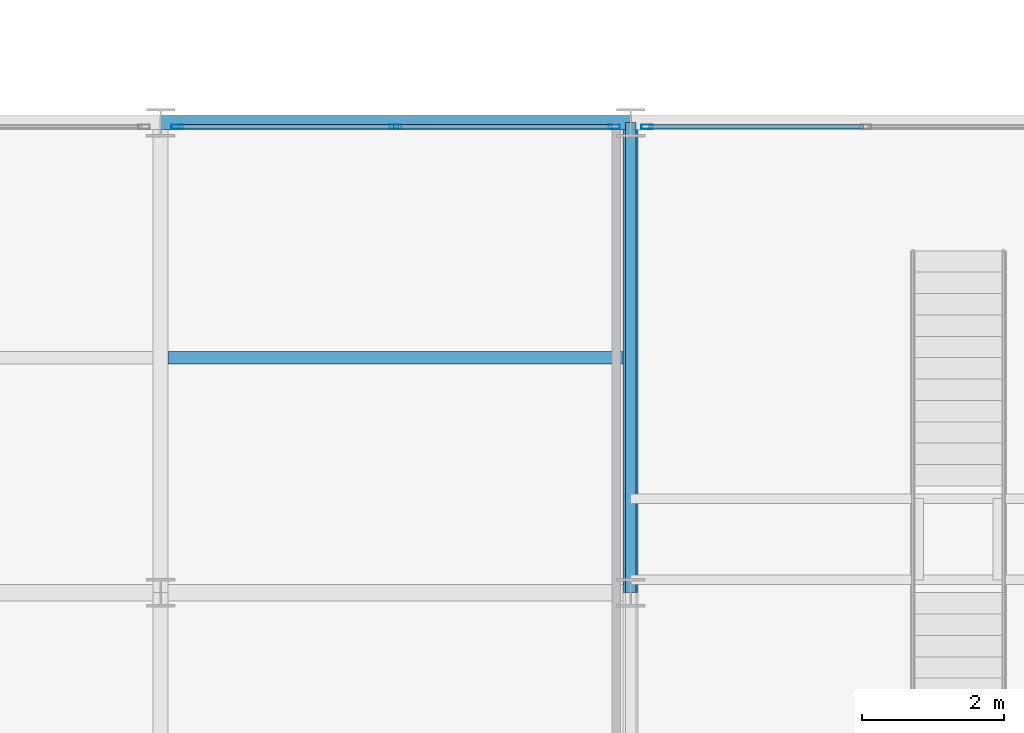
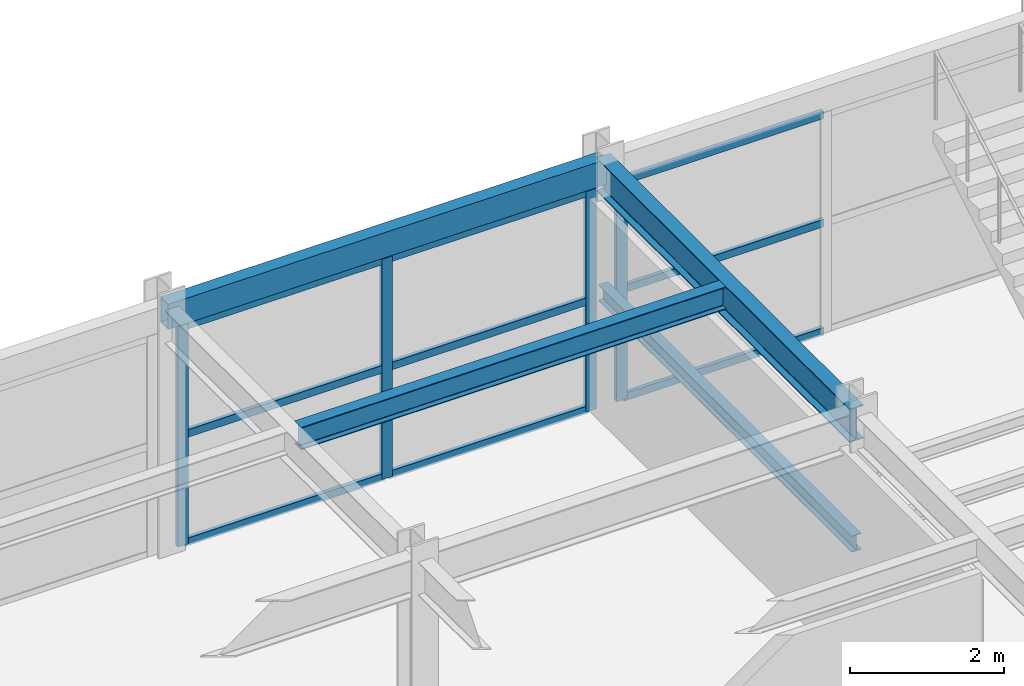
# One storey, part 105 of 157: 13 members, 4 beams, 2 elements without a shape of their own.
"""IFC4 building model written with IfcOpenShell, lengths in metres."""

from ifc_helpers import new_model, si_unit, direction, frame, origin, origin_2d, place, context, subcontext, project, spatial, hollow_rectangle, i_section, extrude, material, material_profile, profile_set, type_object, element, aggregate, save


model = new_model("IFC4")

# Units and contexts
model_context = context("Model", 3, precision=1e-05, world=origin(), true_north=direction((0.0, 1.0)))
body_context = subcontext(model_context, "Body", "Model", "MODEL_VIEW")
ifc_project = project(units=[si_unit("LENGTHUNIT", "METRE"), si_unit("AREAUNIT", "SQUARE_METRE"), si_unit("VOLUMEUNIT", "CUBIC_METRE"), si_unit("PLANEANGLEUNIT", "RADIAN"), si_unit("MASSUNIT", "GRAM", prefix="KILO")], contexts=[model_context])

# Site, building, storey
site_placement = place(None, origin())
site = spatial("IfcSite", under=ifc_project, at=site_placement, CompositionType="ELEMENT")
building_placement = place(site_placement, origin())
building = spatial("IfcBuilding", under=site, at=building_placement, Name="Karori Crest Natural Sciences Institute", CompositionType="ELEMENT")
storey_placement = place(building_placement, frame((0.0, 0.0, 13.300048828125)))
storey = spatial("IfcBuildingStorey", under=building, at=storey_placement, Name="L03", CompositionType="ELEMENT", Elevation=13.300048828125)

# Beams
ifc_material_1 = material(Name="Structural steel AS/NZS 3679.1 Grade 350", Category="steel")
ifc_material_profile_1 = material_profile(ifc_material_1, i_section(OverallWidth=0.208984375, OverallDepth=0.532958984375, WebThickness=0.01025390625, FlangeThickness=0.015625, FilletRadius=0.013916015625, at=origin_2d()), Name="530UB92.4")
ifc_profile_set_1 = profile_set([ifc_material_profile_1], Name="Structural steel AS/NZS 3679.1 Grade 350")
beam_type_1 = type_object("IfcBeamType", Name="BT-05", PredefinedType="BEAM", material=ifc_profile_set_1)
beam_1_placement = place(storey_placement, frame((143.199951171875, 14.0, 3.653564453125), z_axis=(0.0, 1.0, 0.0), x_axis=(-1.0, 0.0, 0.0)))
element("IfcBeam", 1, at=beam_1_placement, inside=storey, type_object=beam_type_1, Name="Beam B-2335", PredefinedType="BEAM", context=body_context, shape_type="SweptSolid", body=[
    extrude(i_section(OverallWidth=0.208984375, OverallDepth=0.532958984375, WebThickness=0.01025390625, FlangeThickness=0.015625, FilletRadius=0.013916015625, at=origin_2d()), origin(), (0.0, 0.0, 1.0), 6.60009765625),
])
ifc_material_profile_2 = material_profile(ifc_material_1, i_section(OverallWidth=0.172119140625, OverallDepth=0.35888671875, WebThickness=0.008056640625, FlangeThickness=0.012939453125, FilletRadius=0.010986328125, at=origin_2d()), Name="360UB56.7")
ifc_profile_set_2 = profile_set([ifc_material_profile_2], Name="Structural steel AS/NZS 3679.1 Grade 350")
beam_type_2 = type_object("IfcBeamType", Name="BT-08", PredefinedType="BEAM", material=ifc_profile_set_2)
beam_2_placement = place(storey_placement, frame((136.70458984375, 17.300048828125, 3.740478515625), z_axis=(1.0, 0.0, 0.0), x_axis=(0.0, 1.0, 0.0)))
element("IfcBeam", 2, at=beam_2_placement, inside=storey, type_object=beam_type_2, Name="Beam B-2358", PredefinedType="BEAM", context=body_context, shape_type="SweptSolid", body=[
    extrude(i_section(OverallWidth=0.172119140625, OverallDepth=0.35888671875, WebThickness=0.008056640625, FlangeThickness=0.012939453125, FilletRadius=0.010986328125, at=origin_2d()), origin(), (0.0, 0.0, 1.0), 6.390869140625),
])
ifc_material_profile_3 = material_profile(ifc_material_1, i_section(OverallWidth=0.14599609375, OverallDepth=0.256103515625, WebThickness=0.00634765625, FlangeThickness=0.010986328125, FilletRadius=0.009033203125, at=origin_2d()), Name="250UB37.3")
ifc_profile_set_3 = profile_set([ifc_material_profile_3], Name="Structural steel AS/NZS 3679.1 Grade 350")
beam_type_3 = type_object("IfcBeamType", Name="BT-11-IL", PredefinedType="BEAM", material=ifc_profile_set_3)
beam_3_placement = place(storey_placement, frame((143.199951171875, 14.0, 1.761962890625), z_axis=(0.0, 1.0, 0.0), x_axis=(-1.0, 0.0, 0.0)))
element("IfcBeam", 3, at=beam_3_placement, inside=storey, type_object=beam_type_3, Name="Stair stringer girder ST-15", PredefinedType="BEAM", context=body_context, shape_type="SweptSolid", body=[
    extrude(i_section(OverallWidth=0.14599609375, OverallDepth=0.256103515625, WebThickness=0.00634765625, FlangeThickness=0.010986328125, FilletRadius=0.009033203125, at=origin_2d()), origin(), (0.0, 0.0, 1.0), 6.60009765625),
])
ifc_material_2 = material(Name="Hollow structural steel AS/NZS 1163 Grade C350", Category="steel")
ifc_material_profile_4 = material_profile(ifc_material_2, hollow_rectangle(XDim=0.199951171875, YDim=0.39990234375, WallThickness=0.012451171875, at=origin_2d()), Name="RHS400x200x12.5")
ifc_profile_set_4 = profile_set([ifc_material_profile_4], Name="Hollow structural steel AS/NZS 1163 Grade C350")
beam_type_4 = type_object("IfcBeamType", Name="BT-14", PredefinedType="SPANDREL", material=ifc_profile_set_4)
beam_4_placement = place(storey_placement, frame((136.60009765625, 20.60009765625, 3.719970703125), z_axis=(1.0, 0.0, 0.0), x_axis=(0.0, 1.0, 0.0)))
element("IfcBeam", 4, at=beam_4_placement, inside=storey, type_object=beam_type_4, Name="Beam B-2311", PredefinedType="SPANDREL", context=body_context, shape_type="SweptSolid", body=[
    extrude(hollow_rectangle(XDim=0.199951171875, YDim=0.39990234375, WallThickness=0.012451171875, at=origin_2d()), origin(), (0.0, 0.0, 1.0), 6.599853515625),
])

# Curtain wall, members
ifc_material_3 = material(Name="Anodised architectural aluminium 6063-T6", Category="aluminium")
curtain_wall_type = type_object("IfcCurtainWallType", Name="CWT-20", PredefinedType="NOTDEFINED", material=ifc_material_3)
curtain_wall_1_placement = place(storey_placement, origin())
curtain_wall_1 = element("IfcCurtainWall", 5, at=curtain_wall_1_placement, inside=storey, type_object=curtain_wall_type, Name="Curtain wall CW-0327", PredefinedType="NOTDEFINED")
ifc_material_profile_5 = material_profile(ifc_material_3, hollow_rectangle(XDim=0.06494140625, YDim=0.159912109375, WallThickness=0.00390625, at=origin_2d()), Name="CWM160x65x4")
ifc_profile_set_5 = profile_set([ifc_material_profile_5], Name="Anodised architectural aluminium 6063-T6")
member_type_1 = type_object("IfcMemberType", Name="CWM-01", PredefinedType="MULLION", material=ifc_profile_set_5)
member_1_placement = place(storey_placement, frame((136.83056640625, 20.5400390625, 0.0), z_axis=(0.0, 0.0, 1.0), x_axis=(0.0, 1.0, 0.0)))
member_1 = element("IfcMember", 6, at=member_1_placement, type_object=member_type_1, Name="CW-0327 mullion 1", PredefinedType="MULLION", context=body_context, shape_type="SweptSolid", body=[
    extrude(hollow_rectangle(XDim=0.06494140625, YDim=0.159912109375, WallThickness=0.00390625, at=origin_2d()), origin(), (0.0, 0.0, 1.0), 3.5048828125),
])
member_2_placement = place(storey_placement, frame((139.89990234375, 20.5400390625, 0.0), z_axis=(0.0, 0.0, 1.0), x_axis=(0.0, 1.0, 0.0)))
member_2 = element("IfcMember", 7, at=member_2_placement, type_object=member_type_1, Name="CW-0327 mullion 2", PredefinedType="MULLION", context=body_context, shape_type="SweptSolid", body=[
    extrude(hollow_rectangle(XDim=0.06494140625, YDim=0.159912109375, WallThickness=0.00390625, at=origin_2d()), origin(), (0.0, 0.0, 1.0), 3.5048828125),
])
member_3_placement = place(storey_placement, frame((142.969482421875, 20.5400390625, 0.0), z_axis=(0.0, 0.0, 1.0), x_axis=(0.0, 1.0, 0.0)))
member_3 = element("IfcMember", 8, at=member_3_placement, type_object=member_type_1, Name="CW-0327 mullion 3", PredefinedType="MULLION", context=body_context, shape_type="SweptSolid", body=[
    extrude(hollow_rectangle(XDim=0.06494140625, YDim=0.159912109375, WallThickness=0.00390625, at=origin_2d()), origin(), (0.0, 0.0, 1.0), 3.5048828125),
])

# Curtain wall, member
curtain_wall_2_placement = place(storey_placement, origin())
curtain_wall_2 = element("IfcCurtainWall", 9, at=curtain_wall_2_placement, inside=storey, type_object=curtain_wall_type, Name="Curtain wall CW-0328", PredefinedType="NOTDEFINED")
member_4_placement = place(storey_placement, frame((143.430419921875, 20.5400390625, 0.0), z_axis=(0.0, 0.0, 1.0), x_axis=(0.0, 1.0, 0.0)))
member_4 = element("IfcMember", 10, at=member_4_placement, type_object=member_type_1, Name="CW-0328 mullion 1", PredefinedType="MULLION", context=body_context, shape_type="SweptSolid", body=[
    extrude(hollow_rectangle(XDim=0.06494140625, YDim=0.159912109375, WallThickness=0.00390625, at=origin_2d()), origin(), (0.0, 0.0, 1.0), 3.5048828125),
])

# Member
ifc_material_profile_6 = material_profile(ifc_material_3, hollow_rectangle(XDim=0.06005859375, YDim=0.1201171875, WallThickness=0.00390625, at=origin_2d()), Name="CWT120x60x4")
ifc_profile_set_6 = profile_set([ifc_material_profile_6], Name="Anodised architectural aluminium 6063-T6")
member_type_2 = type_object("IfcMemberType", Name="CWT-TR1", PredefinedType="USERDEFINED", material=ifc_profile_set_6)
member_5_placement = place(storey_placement, frame((136.863037109375, 20.5400390625, 0.030029296875), z_axis=(1.0, 0.0, 0.0), x_axis=(0.0, 1.0, 0.0)))
member_5 = element("IfcMember", 11, at=member_5_placement, type_object=member_type_2, Name="CW-0327 transom 1.1", ObjectType="TRANSOM", PredefinedType="USERDEFINED", context=body_context, shape_type="SweptSolid", body=[
    extrude(hollow_rectangle(XDim=0.06005859375, YDim=0.1201171875, WallThickness=0.00390625, at=origin_2d()), origin(), (0.0, 0.0, 1.0), 3.00439453125),
])

member_6_placement = place(storey_placement, frame((136.863037109375, 20.5400390625, 1.75244140625), z_axis=(1.0, 0.0, 0.0), x_axis=(0.0, 1.0, 0.0)))
member_6 = element("IfcMember", 12, at=member_6_placement, type_object=member_type_2, Name="CW-0327 transom 1.2", ObjectType="TRANSOM", PredefinedType="USERDEFINED", context=body_context, shape_type="SweptSolid", body=[
    extrude(hollow_rectangle(XDim=0.06005859375, YDim=0.1201171875, WallThickness=0.00390625, at=origin_2d()), origin(), (0.0, 0.0, 1.0), 3.00439453125),
])

member_7_placement = place(storey_placement, frame((136.863037109375, 20.5400390625, 3.474853515625), z_axis=(1.0, 0.0, 0.0), x_axis=(0.0, 1.0, 0.0)))
member_7 = element("IfcMember", 13, at=member_7_placement, type_object=member_type_2, Name="CW-0327 transom 1.3", ObjectType="TRANSOM", PredefinedType="USERDEFINED", context=body_context, shape_type="SweptSolid", body=[
    extrude(hollow_rectangle(XDim=0.06005859375, YDim=0.1201171875, WallThickness=0.00390625, at=origin_2d()), origin(), (0.0, 0.0, 1.0), 3.00439453125),
])

member_8_placement = place(storey_placement, frame((139.9326171875, 20.5400390625, 0.030029296875), z_axis=(1.0, 0.0, 0.0), x_axis=(0.0, 1.0, 0.0)))
member_8 = element("IfcMember", 14, at=member_8_placement, type_object=member_type_2, Name="CW-0327 transom 2.1", ObjectType="TRANSOM", PredefinedType="USERDEFINED", context=body_context, shape_type="SweptSolid", body=[
    extrude(hollow_rectangle(XDim=0.06005859375, YDim=0.1201171875, WallThickness=0.00390625, at=origin_2d()), origin(), (0.0, 0.0, 1.0), 3.00439453125),
])

member_9_placement = place(storey_placement, frame((139.9326171875, 20.5400390625, 1.75244140625), z_axis=(1.0, 0.0, 0.0), x_axis=(0.0, 1.0, 0.0)))
member_9 = element("IfcMember", 15, at=member_9_placement, type_object=member_type_2, Name="CW-0327 transom 2.2", ObjectType="TRANSOM", PredefinedType="USERDEFINED", context=body_context, shape_type="SweptSolid", body=[
    extrude(hollow_rectangle(XDim=0.06005859375, YDim=0.1201171875, WallThickness=0.00390625, at=origin_2d()), origin(), (0.0, 0.0, 1.0), 3.00439453125),
])

member_10_placement = place(storey_placement, frame((139.9326171875, 20.5400390625, 3.474853515625), z_axis=(1.0, 0.0, 0.0), x_axis=(0.0, 1.0, 0.0)))
member_10 = element("IfcMember", 16, at=member_10_placement, type_object=member_type_2, Name="CW-0327 transom 2.3", ObjectType="TRANSOM", PredefinedType="USERDEFINED", context=body_context, shape_type="SweptSolid", body=[
    extrude(hollow_rectangle(XDim=0.06005859375, YDim=0.1201171875, WallThickness=0.00390625, at=origin_2d()), origin(), (0.0, 0.0, 1.0), 3.00439453125),
])

aggregate(curtain_wall_1, [member_1, member_2, member_3, member_5, member_6, member_7, member_8, member_9, member_10])

member_11_placement = place(storey_placement, frame((143.462890625, 20.5400390625, 0.030029296875), z_axis=(1.0, 0.0, 0.0), x_axis=(0.0, 1.0, 0.0)))
member_11 = element("IfcMember", 17, at=member_11_placement, type_object=member_type_2, Name="CW-0328 transom 1.1", ObjectType="TRANSOM", PredefinedType="USERDEFINED", context=body_context, shape_type="SweptSolid", body=[
    extrude(hollow_rectangle(XDim=0.06005859375, YDim=0.1201171875, WallThickness=0.00390625, at=origin_2d()), origin(), (0.0, 0.0, 1.0), 3.004638671875),
])

member_12_placement = place(storey_placement, frame((143.462890625, 20.5400390625, 1.75244140625), z_axis=(1.0, 0.0, 0.0), x_axis=(0.0, 1.0, 0.0)))
member_12 = element("IfcMember", 18, at=member_12_placement, type_object=member_type_2, Name="CW-0328 transom 1.2", ObjectType="TRANSOM", PredefinedType="USERDEFINED", context=body_context, shape_type="SweptSolid", body=[
    extrude(hollow_rectangle(XDim=0.06005859375, YDim=0.1201171875, WallThickness=0.00390625, at=origin_2d()), origin(), (0.0, 0.0, 1.0), 3.004638671875),
])

member_13_placement = place(storey_placement, frame((143.462890625, 20.5400390625, 3.474853515625), z_axis=(1.0, 0.0, 0.0), x_axis=(0.0, 1.0, 0.0)))
member_13 = element("IfcMember", 19, at=member_13_placement, type_object=member_type_2, Name="CW-0328 transom 1.3", ObjectType="TRANSOM", PredefinedType="USERDEFINED", context=body_context, shape_type="SweptSolid", body=[
    extrude(hollow_rectangle(XDim=0.06005859375, YDim=0.1201171875, WallThickness=0.00390625, at=origin_2d()), origin(), (0.0, 0.0, 1.0), 3.004638671875),
])

aggregate(curtain_wall_2, [member_4, member_11, member_12, member_13])

save(model, "model.ifc")
